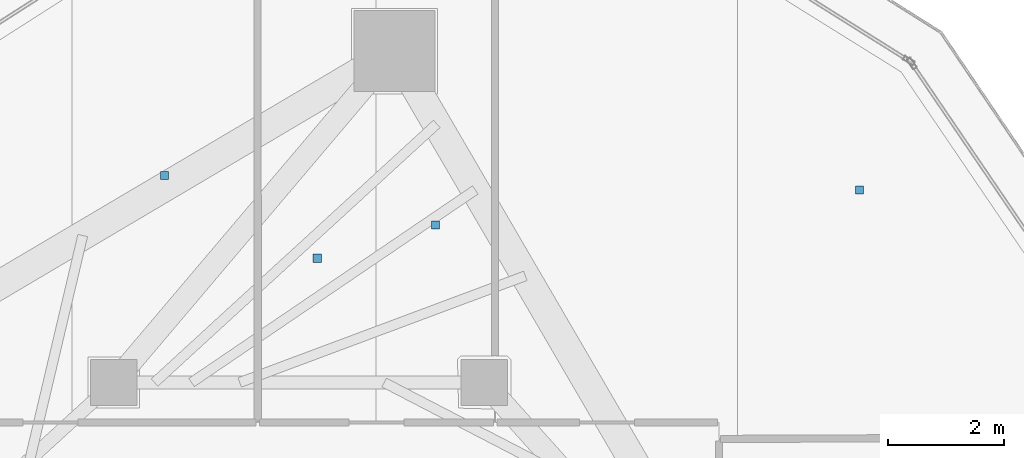
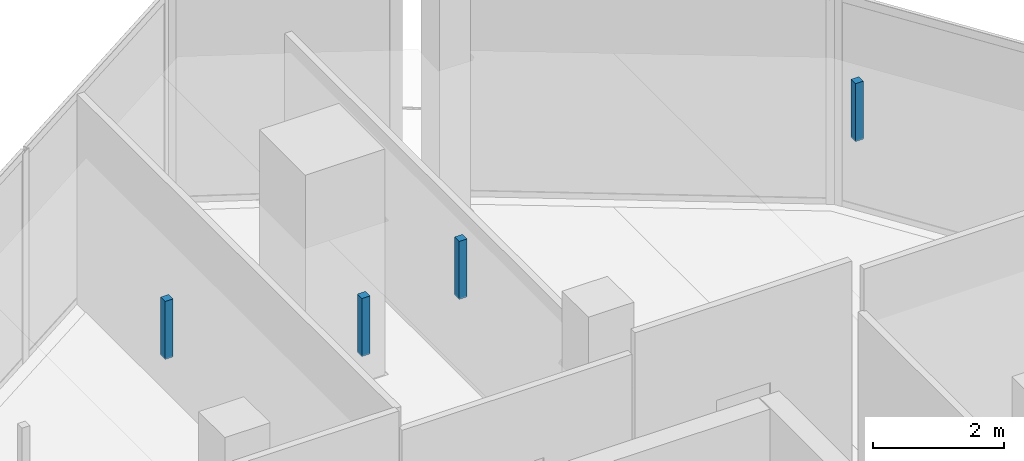
# One storey, part 20 of 25: 4 discrete accessories.
"""IFC4 building model written with IfcOpenShell, lengths in metres."""

from ifc_helpers import new_model, si_unit, direction, frame, origin, origin_2d, place, context, subcontext, project, spatial, rectangle, extrude, material, type_object, element, save


model = new_model("IFC4")

# Units and contexts
model_context = context("Model", 3, precision=1e-05, world=origin(), true_north=direction((0.0, 1.0)))
body_context = subcontext(model_context, "Body", "Model", "MODEL_VIEW")
ifc_project = project(units=[si_unit("LENGTHUNIT", "METRE"), si_unit("AREAUNIT", "SQUARE_METRE"), si_unit("VOLUMEUNIT", "CUBIC_METRE"), si_unit("PLANEANGLEUNIT", "RADIAN"), si_unit("MASSUNIT", "GRAM", prefix="KILO")], contexts=[model_context])

# Site, building, storey
site_placement = place(None, origin())
site = spatial("IfcSite", under=ifc_project, at=site_placement, CompositionType="ELEMENT")
building_placement = place(site_placement, origin())
building = spatial("IfcBuilding", under=site, at=building_placement, Name="Qorvath Tower", CompositionType="ELEMENT")
storey_placement = place(building_placement, frame((0.0, 0.0, 306.0)))
storey = spatial("IfcBuildingStorey", under=building, at=storey_placement, Name="L71", CompositionType="ELEMENT", Elevation=306.0)

# Discrete accessories
ifc_material = material(Name="Galvanised steel bracket", Category="steel")
discrete_accessory_type = type_object("IfcDiscreteAccessoryType", Name="DA-BRACKET", PredefinedType="BRACKET", material=ifc_material)
for number, where, z_axis, x_axis, name in (
    (1, (-22.72216796875, 15.02978515625, 2.85986328125), (0.0, 0.0, 1.0), (1.0, 0.0, 0.0), "Acoustic Ceiling Suspension Hanger T1-L71-017"),
    (2, (-20.083740234375, 13.59814453125, 2.85986328125), (0.0, 0.0, 1.0), (1.0, 0.0, 0.0), "Acoustic Ceiling Suspension Hanger T1-L71-018"),
    (3, (-18.0419921875, 14.171630859375, 2.85986328125), (0.0, 0.0, 1.0), (1.0, 0.0, 0.0), "Acoustic Ceiling Suspension Hanger T1-L71-019"),
    (4, (-10.715087890625, 14.7802734375, 2.85986328125), (0.0, 0.0, 1.0), (1.0, 0.0, 0.0), "Acoustic Ceiling Suspension Hanger T1-L71-021"),
):
    element("IfcDiscreteAccessory", number, at=place(storey_placement, frame(where, z_axis=z_axis, x_axis=x_axis)), inside=storey, type_object=discrete_accessory_type, Name=name, PredefinedType="NOTDEFINED", context=body_context, shape_type="SweptSolid", body=[
        extrude(rectangle(XDim=0.139892578125, YDim=0.139892578125, at=origin_2d()), origin(), (0.0, 0.0, 1.0), 1.079833984375),
    ])

save(model, "model.ifc")
